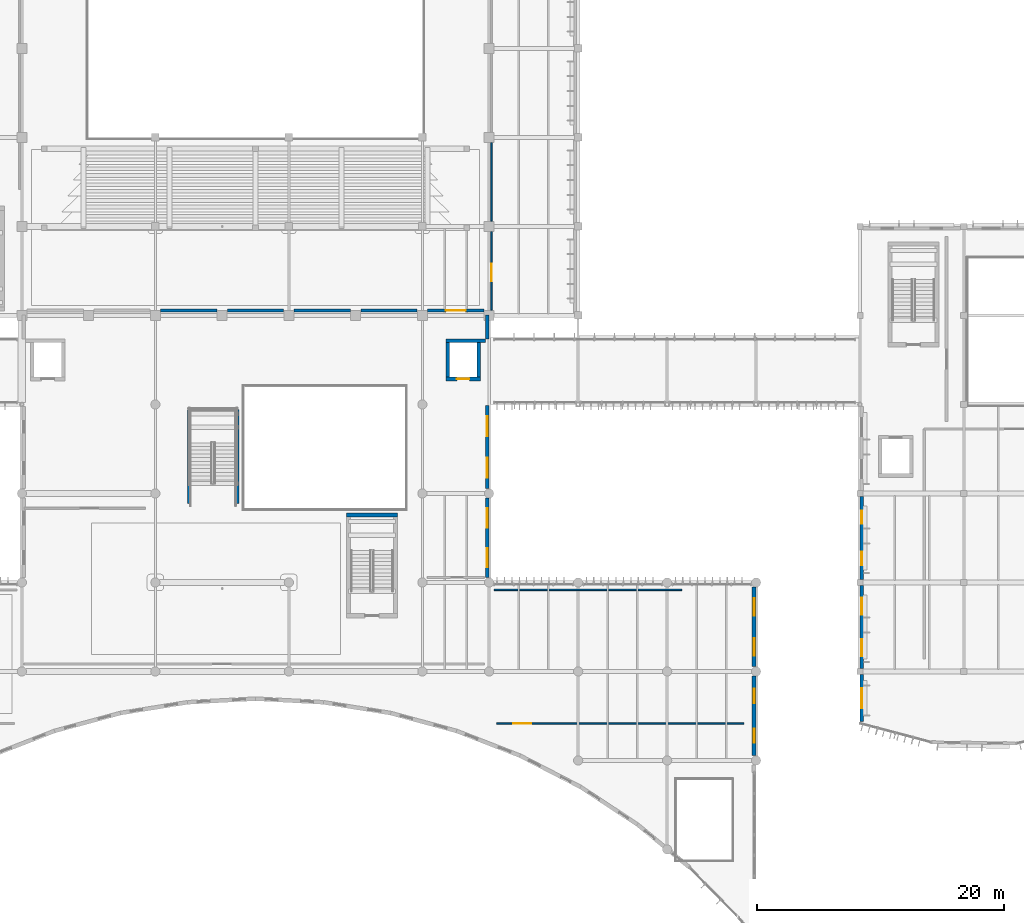
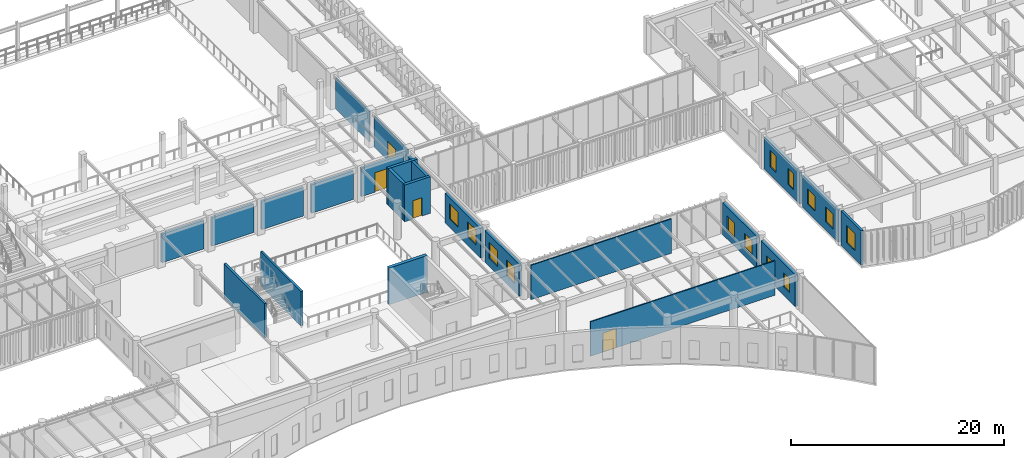
# One storey, part 41 of 122: 24 walls, 13 windows, 4 doors, 17 openings.
"""IFC4 building model written with IfcOpenShell, lengths in metres."""

from ifc_helpers import new_model, si_unit, direction, frame, frame_2d, origin, place, context, subcontext, project, spatial, rectangle, extrude, material, layer, layer_set, type_object, element, fill, save


model = new_model("IFC4")

# Units and contexts
model_context = context("Model", 3, precision=1e-05, world=origin(), true_north=direction((0.0, 1.0)))
body_context = subcontext(model_context, "Body", "Model", "MODEL_VIEW")
ifc_project = project(units=[si_unit("LENGTHUNIT", "METRE"), si_unit("AREAUNIT", "SQUARE_METRE"), si_unit("VOLUMEUNIT", "CUBIC_METRE"), si_unit("PLANEANGLEUNIT", "RADIAN"), si_unit("MASSUNIT", "GRAM", prefix="KILO")], contexts=[model_context])

# Site, building, storey
site_placement = place(None, origin())
site = spatial("IfcSite", under=ifc_project, at=site_placement, CompositionType="ELEMENT")
building_placement = place(site_placement, origin())
building = spatial("IfcBuilding", under=site, at=building_placement, Name="Tazoul Stagehouse", CompositionType="ELEMENT")
storey_placement = place(building_placement, frame((0.0, 0.0, 4.800048828125)))
storey = spatial("IfcBuildingStorey", under=building, at=storey_placement, Name="L01", CompositionType="ELEMENT", Elevation=4.800048828125)

# Wall, opening, door
ifc_material_1 = material(Name="Gypsum Acoustic Partition", Category="gypsum")
ifc_layer_1 = layer(ifc_material_1, 0.25, Name="Gypsum Acoustic Partition")
ifc_layer_set_1 = layer_set([ifc_layer_1], Name="Gypsum Acoustic Partition")
wall_type_1 = type_object("IfcWallType", Name="Acoustic Hall Double-Stud Partition 250", PredefinedType="PARTITIONING", material=ifc_layer_set_1)
wall_1_placement = place(storey_placement, frame((94.97998046875, 52.199951171875, 0.0), z_axis=(0.0, 0.0, 1.0), x_axis=(-1.0, 0.0, 0.0)))
wall_1 = element("IfcWall", 1, at=wall_1_placement, inside=storey, type_object=wall_type_1, Name="L01 Partition PW-250 (PW-RM-L01-035-S-S1)", PredefinedType="PARTITIONING", context=body_context, shape_type="SweptSolid", body=[
    extrude(rectangle(XDim=4.56005859375, YDim=0.25, at=frame_2d((2.280029296875, 0.0))), origin(), (0.0, 0.0, 1.0), 3.260009765625),
])
opening_1_placement = place(wall_1_placement, frame((1.47998046875, 0.0, 0.0)))
opening_1 = element("IfcOpeningElement", 2, at=opening_1_placement, cuts=wall_1, Name="Opening ID-15", PredefinedType="OPENING", context=body_context, shape_type="SweptSolid", body=[
    extrude(rectangle(XDim=1.60009765625, YDim=2.25, at=frame_2d((0.800048828125, 1.125))), frame((0.0, 0.14501953125, 0.0), z_axis=(0.0, -1.0, 0.0), x_axis=(1.0, 0.0, 0.0)), (0.0, 0.0, 1.0), 0.2900390625),
])
ifc_material_2 = material(Name="Acoustic Cedar Timber", Category="wood")
door_type_1 = type_object("IfcDoorType", Name="Dress Circle Acoustic Double Door 1600x2250", OperationType="DOUBLE_DOOR_SINGLE_SWING", PredefinedType="DOOR", material=ifc_material_2)
door_1_placement = place(opening_1_placement, origin())
door_1 = element("IfcDoor", 3, at=door_1_placement, inside=storey, type_object=door_type_1, Name="L01 Dress Circle Tier and Side Boxes Door", OperationType="DOUBLE_DOOR_SINGLE_SWING", OverallHeight=2.25, OverallWidth=1.60009765625, PredefinedType="DOOR", context=body_context, shape_type="SweptSolid", body=[
    extrude(rectangle(XDim=1.60009765625, YDim=2.25, at=frame_2d((0.800048828125, 1.125))), frame((0.0, 0.02490234375, 0.0), z_axis=(0.0, -1.0, 0.0), x_axis=(1.0, 0.0, 0.0)), (0.0, 0.0, 1.0), 0.050048828125),
])
fill(opening_1, door_1)

# Walls
wall_2_placement = place(storey_placement, frame((89.580078125, 52.199951171875, 0.0), z_axis=(0.0, 0.0, 1.0), x_axis=(-1.0, 0.0, 0.0)))
element("IfcWall", 4, at=wall_2_placement, inside=storey, type_object=wall_type_1, Name="L01 Partition PW-250 (PW-RM-L01-035-S-S2)", PredefinedType="PARTITIONING", context=body_context, shape_type="SweptSolid", body=[
    extrude(rectangle(XDim=4.56005859375, YDim=0.25, at=frame_2d((2.280029296875, 0.0))), origin(), (0.0, 0.0, 1.0), 3.260009765625),
])
wall_3_placement = place(storey_placement, frame((84.179931640625, 52.199951171875, 0.0), z_axis=(0.0, 0.0, 1.0), x_axis=(-1.0, 0.0, 0.0)))
element("IfcWall", 5, at=wall_3_placement, inside=storey, type_object=wall_type_1, Name="L01 Partition PW-250 (PW-RM-L01-035-S-S3)", PredefinedType="PARTITIONING", context=body_context, shape_type="SweptSolid", body=[
    extrude(rectangle(XDim=4.559814453125, YDim=0.25, at=frame_2d((2.27978515625, 0.0))), origin(), (0.0, 0.0, 1.0), 3.260009765625),
])
wall_4_placement = place(storey_placement, frame((78.780029296875, 52.199951171875, 0.0), z_axis=(0.0, 0.0, 1.0), x_axis=(-1.0, 0.0, 0.0)))
element("IfcWall", 6, at=wall_4_placement, inside=storey, type_object=wall_type_1, Name="L01 Partition PW-250 (PW-RM-L01-035-S-S4)", PredefinedType="PARTITIONING", context=body_context, shape_type="SweptSolid", body=[
    extrude(rectangle(XDim=4.56005859375, YDim=0.25, at=frame_2d((2.280029296875, 0.0))), origin(), (0.0, 0.0, 1.0), 3.260009765625),
])
wall_5_placement = place(storey_placement, frame((73.3798828125, 52.199951171875, 0.0), z_axis=(0.0, 0.0, 1.0), x_axis=(-1.0, 0.0, 0.0)))
element("IfcWall", 7, at=wall_5_placement, inside=storey, type_object=wall_type_1, Name="L01 Partition PW-250 (PW-RM-L01-035-S-S5)", PredefinedType="PARTITIONING", context=body_context, shape_type="SweptSolid", body=[
    extrude(rectangle(XDim=4.559814453125, YDim=0.25, at=frame_2d((2.27978515625, 0.0))), origin(), (0.0, 0.0, 1.0), 3.260009765625),
])

# Wall, openings, windows
ifc_material_3 = material(Name="Ochre Fired Clay Facing Brick Masonry", Category="masonry")
ifc_layer_2 = layer(ifc_material_3, 0.320068359375, Name="Ochre Fired Clay Facing Brick Masonry")
ifc_layer_set_2 = layer_set([ifc_layer_2], Name="Ochre Fired Clay Facing Brick Masonry")
wall_type_2 = type_object("IfcWallType", Name="Concave Crescent Ochre Brick Facade Wall 320", PredefinedType="SOLIDWALL", material=ifc_layer_set_2)
wall_6_placement = place(storey_placement, frame((116.840087890625, 16.179931640625, 0.0), z_axis=(0.0, 0.0, 1.0), x_axis=(0.0, 1.0, 0.0)))
wall_6 = element("IfcWall", 8, at=wall_6_placement, inside=storey, type_object=wall_type_2, Name="L01 Wall EW-320 (WALL-V5-E-L01-S2)", PredefinedType="SOLIDWALL", context=body_context, shape_type="SweptSolid", body=[
    extrude(rectangle(XDim=6.440185546875, YDim=0.320068359375, at=frame_2d((3.22021484375, 0.0))), origin(), (0.0, 0.0, 1.0), 3.65283203125),
])
opening_2_placement = place(wall_6_placement, frame((1.0400390625, 0.0, 0.949951171875)))
opening_2 = element("IfcOpeningElement", 9, at=opening_2_placement, cuts=wall_6, Name="Opening WN-41", PredefinedType="OPENING", context=body_context, shape_type="SweptSolid", body=[
    extrude(rectangle(XDim=1.139892578125, YDim=1.60009765625, at=frame_2d((0.56982421875, 0.800048828125))), frame((0.0, 0.179931640625, 0.0), z_axis=(0.0, -1.0, 0.0), x_axis=(1.0, 0.0, 0.0)), (0.0, 0.0, 1.0), 0.360107421875),
])
opening_3_placement = place(wall_6_placement, frame((4.260009765625, 0.0, 0.949951171875)))
opening_3 = element("IfcOpeningElement", 10, at=opening_3_placement, cuts=wall_6, Name="Opening WN-41", PredefinedType="OPENING", context=body_context, shape_type="SweptSolid", body=[
    extrude(rectangle(XDim=1.139892578125, YDim=1.60009765625, at=frame_2d((0.56982421875, 0.800048828125))), frame((0.0, 0.179931640625, 0.0), z_axis=(0.0, -1.0, 0.0), x_axis=(1.0, 0.0, 0.0)), (0.0, 0.0, 1.0), 0.360107421875),
])
ifc_material_4 = material(Name="Double Low-E Acoustic Laminated Glass", Category="glass")
window_type_1 = type_object("IfcWindowType", Name="Architectural Acoustic Facade Window 1140x1600", PartitioningType="SINGLE_PANEL", PredefinedType="WINDOW", material=ifc_material_4)
window_1_placement = place(opening_2_placement, origin())
window_1 = element("IfcWindow", 11, at=window_1_placement, inside=storey, type_object=window_type_1, Name="L01 Window WN-41 (WALL-V5-E-L01-S2-W1)", OverallHeight=1.60009765625, OverallWidth=1.139892578125, PartitioningType="SINGLE_PANEL", PredefinedType="WINDOW", context=body_context, shape_type="SweptSolid", body=[
    extrude(rectangle(XDim=1.139892578125, YDim=1.60009765625, at=frame_2d((0.56982421875, 0.800048828125))), frame((0.0, 0.030029296875, 0.0), z_axis=(0.0, -1.0, 0.0), x_axis=(1.0, 0.0, 0.0)), (0.0, 0.0, 1.0), 0.06005859375),
])
fill(opening_2, window_1)
window_2_placement = place(opening_3_placement, origin())
window_2 = element("IfcWindow", 12, at=window_2_placement, inside=storey, type_object=window_type_1, Name="L01 Window WN-41 (WALL-V5-E-L01-S2-W2)", OverallHeight=1.60009765625, OverallWidth=1.139892578125, PartitioningType="SINGLE_PANEL", PredefinedType="WINDOW", context=body_context, shape_type="SweptSolid", body=[
    extrude(rectangle(XDim=1.139892578125, YDim=1.60009765625, at=frame_2d((0.56982421875, 0.800048828125))), frame((0.0, 0.030029296875, 0.0), z_axis=(0.0, -1.0, 0.0), x_axis=(1.0, 0.0, 0.0)), (0.0, 0.0, 1.0), 0.06005859375),
])
fill(opening_3, window_2)

wall_7_placement = place(storey_placement, frame((116.840087890625, 23.3798828125, 0.0), z_axis=(0.0, 0.0, 1.0), x_axis=(0.0, 1.0, 0.0)))
wall_7 = element("IfcWall", 13, at=wall_7_placement, inside=storey, type_object=wall_type_2, Name="L01 Wall EW-320 (WALL-V5-E-L01-S3)", PredefinedType="SOLIDWALL", context=body_context, shape_type="SweptSolid", body=[
    extrude(rectangle(XDim=6.440185546875, YDim=0.320068359375, at=frame_2d((3.22021484375, 0.0))), origin(), (0.0, 0.0, 1.0), 3.65283203125),
])
opening_4_placement = place(wall_7_placement, frame((0.905029296875, 0.0, 0.949951171875)))
opening_4 = element("IfcOpeningElement", 14, at=opening_4_placement, cuts=wall_7, Name="Opening WN-50", PredefinedType="OPENING", context=body_context, shape_type="SweptSolid", body=[
    extrude(rectangle(XDim=1.409912109375, YDim=1.699951171875, at=frame_2d((0.705078125, 0.85009765625))), frame((0.0, 0.179931640625, 0.0), z_axis=(0.0, -1.0, 0.0), x_axis=(1.0, 0.0, 0.0)), (0.0, 0.0, 1.0), 0.360107421875),
])
opening_5_placement = place(wall_7_placement, frame((4.125, 0.0, 0.949951171875)))
opening_5 = element("IfcOpeningElement", 15, at=opening_5_placement, cuts=wall_7, Name="Opening WN-50", PredefinedType="OPENING", context=body_context, shape_type="SweptSolid", body=[
    extrude(rectangle(XDim=1.409912109375, YDim=1.699951171875, at=frame_2d((0.705078125, 0.85009765625))), frame((0.0, 0.179931640625, 0.0), z_axis=(0.0, -1.0, 0.0), x_axis=(1.0, 0.0, 0.0)), (0.0, 0.0, 1.0), 0.360107421875),
])
window_type_2 = type_object("IfcWindowType", Name="Architectural Acoustic Facade Window 1410x1700", PartitioningType="SINGLE_PANEL", PredefinedType="WINDOW", material=ifc_material_4)
window_3_placement = place(opening_4_placement, origin())
window_3 = element("IfcWindow", 16, at=window_3_placement, inside=storey, type_object=window_type_2, Name="L01 Window WN-50 (WALL-V5-E-L01-S3-W1)", OverallHeight=1.699951171875, OverallWidth=1.409912109375, PartitioningType="SINGLE_PANEL", PredefinedType="WINDOW", context=body_context, shape_type="SweptSolid", body=[
    extrude(rectangle(XDim=1.409912109375, YDim=1.699951171875, at=frame_2d((0.705078125, 0.85009765625))), frame((0.0, 0.030029296875, 0.0), z_axis=(0.0, -1.0, 0.0), x_axis=(1.0, 0.0, 0.0)), (0.0, 0.0, 1.0), 0.06005859375),
])
fill(opening_4, window_3)
window_4_placement = place(opening_5_placement, origin())
window_4 = element("IfcWindow", 17, at=window_4_placement, inside=storey, type_object=window_type_2, Name="L01 Window WN-50 (WALL-V5-E-L01-S3-W2)", OverallHeight=1.699951171875, OverallWidth=1.409912109375, PartitioningType="SINGLE_PANEL", PredefinedType="WINDOW", context=body_context, shape_type="SweptSolid", body=[
    extrude(rectangle(XDim=1.409912109375, YDim=1.699951171875, at=frame_2d((0.705078125, 0.85009765625))), frame((0.0, 0.030029296875, 0.0), z_axis=(0.0, -1.0, 0.0), x_axis=(1.0, 0.0, 0.0)), (0.0, 0.0, 1.0), 0.06005859375),
])
fill(opening_5, window_4)

# Wall
ifc_material_5 = material(Name="Concrete C40/50", Category="concrete")
ifc_layer_3 = layer(ifc_material_5, 0.35009765625, Name="Concrete C40/50")
ifc_layer_set_3 = layer_set([ifc_layer_3], Name="Concrete C40/50")
wall_type_3 = type_object("IfcWallType", Name="Core Shear Wall 350", PredefinedType="SOLIDWALL", material=ifc_layer_set_3)
wall_8_placement = place(storey_placement, frame((83.85009765625, 35.655029296875, 0.0), z_axis=(0.0, 0.0, 1.0), x_axis=(1.0, 0.0, 0.0)))
element("IfcWall", 18, at=wall_8_placement, inside=storey, type_object=wall_type_3, Name="L01 Core Wall CW-350 (SHF-ST-08-north)", PredefinedType="SOLIDWALL", context=body_context, shape_type="SweptSolid", body=[
    extrude(rectangle(XDim=4.14990234375, YDim=0.35009765625, at=frame_2d((2.074951171875, 0.0))), origin(), (0.0, 0.0, 1.0), 4.199951171875),
])

# Wall, opening, window
ifc_material_6 = material(Name="Precast concrete C40/50", Category="concrete")
ifc_layer_4 = layer(ifc_material_6, 0.260009765625, Name="Precast concrete C40/50")
ifc_layer_set_4 = layer_set([ifc_layer_4], Name="Precast concrete C40/50")
wall_type_4 = type_object("IfcWallType", Name="Curved Studio Drum Terracotta-Concrete Wall 260", PredefinedType="SOLIDWALL", material=ifc_layer_set_4)
wall_9_placement = place(storey_placement, frame((125.550048828125, 18.949951171875, 0.0), z_axis=(0.0, 0.0, 1.0), x_axis=(0.0, 1.0, 0.0)))
wall_9 = element("IfcWall", 19, at=wall_9_placement, inside=storey, type_object=wall_type_4, Name="L01 Wall EW-260 (WALL-V4-W-L01-S1)", PredefinedType="SOLIDWALL", context=body_context, shape_type="SweptSolid", body=[
    extrude(rectangle(XDim=3.795166015625, YDim=0.260009765625, at=frame_2d((1.8974609375, 0.0))), origin(), (0.0, 0.0, 1.0), 3.93994140625),
])
opening_6_placement = place(wall_9_placement, frame((1.08740234375, 0.0, 0.949951171875)))
opening_6 = element("IfcOpeningElement", 20, at=opening_6_placement, cuts=wall_9, Name="Opening WN-82", PredefinedType="OPENING", context=body_context, shape_type="SweptSolid", body=[
    extrude(rectangle(XDim=1.6201171875, YDim=2.0, at=frame_2d((0.81005859375, 1.0))), frame((0.0, 0.14990234375, 0.0), z_axis=(0.0, -1.0, 0.0), x_axis=(1.0, 0.0, 0.0)), (0.0, 0.0, 1.0), 0.300048828125),
])
window_type_3 = type_object("IfcWindowType", Name="Architectural Acoustic Facade Window 1620x2000", PartitioningType="SINGLE_PANEL", PredefinedType="WINDOW", material=ifc_material_4)
window_5_placement = place(opening_6_placement, origin())
window_5 = element("IfcWindow", 21, at=window_5_placement, inside=storey, type_object=window_type_3, Name="L01 Window WN-82 (WALL-V4-W-L01-S1-W1)", OverallHeight=2.0, OverallWidth=1.6201171875, PartitioningType="SINGLE_PANEL", PredefinedType="WINDOW", context=body_context, shape_type="SweptSolid", body=[
    extrude(rectangle(XDim=1.6201171875, YDim=2.0, at=frame_2d((0.81005859375, 1.0))), frame((0.0, 0.030029296875, 0.0), z_axis=(0.0, -1.0, 0.0), x_axis=(1.0, 0.0, 0.0)), (0.0, 0.0, 1.0), 0.06005859375),
])
fill(opening_6, window_5)

# Wall, openings, windows
wall_10_placement = place(storey_placement, frame((125.550048828125, 23.2548828125, 0.0), z_axis=(0.0, 0.0, 1.0), x_axis=(0.0, 1.0, 0.0)))
wall_10 = element("IfcWall", 22, at=wall_10_placement, inside=storey, type_object=wall_type_4, Name="L01 Wall EW-260 (WALL-V4-W-L01-S2)", PredefinedType="SOLIDWALL", context=body_context, shape_type="SweptSolid", body=[
    extrude(rectangle(XDim=6.690185546875, YDim=0.260009765625, at=frame_2d((3.34521484375, 0.0))), origin(), (0.0, 0.0, 1.0), 3.65283203125),
])
opening_7_placement = place(wall_10_placement, frame((0.982421875, 0.0, 0.949951171875)))
opening_7 = element("IfcOpeningElement", 23, at=opening_7_placement, cuts=wall_10, Name="Opening WN-49", PredefinedType="OPENING", context=body_context, shape_type="SweptSolid", body=[
    extrude(rectangle(XDim=1.3798828125, YDim=1.699951171875, at=frame_2d((0.68994140625, 0.85009765625))), frame((0.0, 0.14990234375, 0.0), z_axis=(0.0, -1.0, 0.0), x_axis=(1.0, 0.0, 0.0)), (0.0, 0.0, 1.0), 0.300048828125),
])
opening_8_placement = place(wall_10_placement, frame((4.327392578125, 0.0, 0.949951171875)))
opening_8 = element("IfcOpeningElement", 24, at=opening_8_placement, cuts=wall_10, Name="Opening WN-49", PredefinedType="OPENING", context=body_context, shape_type="SweptSolid", body=[
    extrude(rectangle(XDim=1.3798828125, YDim=1.699951171875, at=frame_2d((0.68994140625, 0.85009765625))), frame((0.0, 0.14990234375, 0.0), z_axis=(0.0, -1.0, 0.0), x_axis=(1.0, 0.0, 0.0)), (0.0, 0.0, 1.0), 0.300048828125),
])
window_type_4 = type_object("IfcWindowType", Name="Architectural Acoustic Facade Window 1380x1700", PartitioningType="SINGLE_PANEL", PredefinedType="WINDOW", material=ifc_material_4)
window_6_placement = place(opening_7_placement, origin())
window_6 = element("IfcWindow", 25, at=window_6_placement, inside=storey, type_object=window_type_4, Name="L01 Window WN-49 (WALL-V4-W-L01-S2-W1)", OverallHeight=1.699951171875, OverallWidth=1.3798828125, PartitioningType="SINGLE_PANEL", PredefinedType="WINDOW", context=body_context, shape_type="SweptSolid", body=[
    extrude(rectangle(XDim=1.3798828125, YDim=1.699951171875, at=frame_2d((0.68994140625, 0.85009765625))), frame((0.0, 0.030029296875, 0.0), z_axis=(0.0, -1.0, 0.0), x_axis=(1.0, 0.0, 0.0)), (0.0, 0.0, 1.0), 0.06005859375),
])
fill(opening_7, window_6)
window_7_placement = place(opening_8_placement, origin())
window_7 = element("IfcWindow", 26, at=window_7_placement, inside=storey, type_object=window_type_4, Name="L01 Window WN-49 (WALL-V4-W-L01-S2-W2)", OverallHeight=1.699951171875, OverallWidth=1.3798828125, PartitioningType="SINGLE_PANEL", PredefinedType="WINDOW", context=body_context, shape_type="SweptSolid", body=[
    extrude(rectangle(XDim=1.3798828125, YDim=1.699951171875, at=frame_2d((0.68994140625, 0.85009765625))), frame((0.0, 0.030029296875, 0.0), z_axis=(0.0, -1.0, 0.0), x_axis=(1.0, 0.0, 0.0)), (0.0, 0.0, 1.0), 0.06005859375),
])
fill(opening_8, window_7)

wall_11_placement = place(storey_placement, frame((125.550048828125, 30.455078125, 0.0), z_axis=(0.0, 0.0, 1.0), x_axis=(0.0, 1.0, 0.0)))
wall_11 = element("IfcWall", 27, at=wall_11_placement, inside=storey, type_object=wall_type_4, Name="L01 Wall EW-260 (WALL-V4-W-L01-S3)", PredefinedType="SOLIDWALL", context=body_context, shape_type="SweptSolid", body=[
    extrude(rectangle(XDim=6.68994140625, YDim=0.260009765625, at=frame_2d((3.344970703125, 0.0))), origin(), (0.0, 0.0, 1.0), 3.65283203125),
])
opening_9_placement = place(wall_11_placement, frame((1.132568359375, 0.0, 0.949951171875)))
opening_9 = element("IfcOpeningElement", 28, at=opening_9_placement, cuts=wall_11, Name="Opening WN-64", PredefinedType="OPENING", context=body_context, shape_type="SweptSolid", body=[
    extrude(rectangle(XDim=1.080078125, YDim=1.85009765625, at=frame_2d((0.5400390625, 0.925048828125))), frame((0.0, 0.14990234375, 0.0), z_axis=(0.0, -1.0, 0.0), x_axis=(1.0, 0.0, 0.0)), (0.0, 0.0, 1.0), 0.300048828125),
])
opening_10_placement = place(wall_11_placement, frame((4.4775390625, 0.0, 0.949951171875)))
opening_10 = element("IfcOpeningElement", 29, at=opening_10_placement, cuts=wall_11, Name="Opening WN-64", PredefinedType="OPENING", context=body_context, shape_type="SweptSolid", body=[
    extrude(rectangle(XDim=1.080078125, YDim=1.85009765625, at=frame_2d((0.5400390625, 0.925048828125))), frame((0.0, 0.14990234375, 0.0), z_axis=(0.0, -1.0, 0.0), x_axis=(1.0, 0.0, 0.0)), (0.0, 0.0, 1.0), 0.300048828125),
])
window_type_5 = type_object("IfcWindowType", Name="Architectural Acoustic Facade Window 1080x1850", PartitioningType="SINGLE_PANEL", PredefinedType="WINDOW", material=ifc_material_4)
window_8_placement = place(opening_9_placement, origin())
window_8 = element("IfcWindow", 30, at=window_8_placement, inside=storey, type_object=window_type_5, Name="L01 Window WN-64 (WALL-V4-W-L01-S3-W1)", OverallHeight=1.85009765625, OverallWidth=1.080078125, PartitioningType="SINGLE_PANEL", PredefinedType="WINDOW", context=body_context, shape_type="SweptSolid", body=[
    extrude(rectangle(XDim=1.080078125, YDim=1.85009765625, at=frame_2d((0.5400390625, 0.925048828125))), frame((0.0, 0.030029296875, 0.0), z_axis=(0.0, -1.0, 0.0), x_axis=(1.0, 0.0, 0.0)), (0.0, 0.0, 1.0), 0.06005859375),
])
fill(opening_9, window_8)
window_9_placement = place(opening_10_placement, origin())
window_9 = element("IfcWindow", 31, at=window_9_placement, inside=storey, type_object=window_type_5, Name="L01 Window WN-64 (WALL-V4-W-L01-S3-W2)", OverallHeight=1.85009765625, OverallWidth=1.080078125, PartitioningType="SINGLE_PANEL", PredefinedType="WINDOW", context=body_context, shape_type="SweptSolid", body=[
    extrude(rectangle(XDim=1.080078125, YDim=1.85009765625, at=frame_2d((0.5400390625, 0.925048828125))), frame((0.0, 0.030029296875, 0.0), z_axis=(0.0, -1.0, 0.0), x_axis=(1.0, 0.0, 0.0)), (0.0, 0.0, 1.0), 0.06005859375),
])
fill(opening_10, window_9)

ifc_layer_5 = layer(ifc_material_6, 0.280029296875, Name="Precast concrete C40/50")
ifc_layer_set_5 = layer_set([ifc_layer_5], Name="Precast concrete C40/50")
wall_type_5 = type_object("IfcWallType", Name="Insulated Precast Acoustic Cladding Wall 280", PredefinedType="SOLIDWALL", material=ifc_layer_set_5)
wall_12_placement = place(storey_placement, frame((95.239990234375, 30.580078125, 0.0), z_axis=(0.0, 0.0, 1.0), x_axis=(0.0, 1.0, 0.0)))
wall_12 = element("IfcWall", 32, at=wall_12_placement, inside=storey, type_object=wall_type_5, Name="L01 Wall EW-280 (WALL-V5-THRE-L01-S1)", PredefinedType="SOLIDWALL", context=body_context, shape_type="SweptSolid", body=[
    extrude(rectangle(XDim=6.43994140625, YDim=0.280029296875, at=frame_2d((3.219970703125, 0.0))), origin(), (0.0, 0.0, 1.0), 3.65283203125),
])
opening_11_placement = place(wall_12_placement, frame((0.8349609375, 0.0, 0.949951171875)))
opening_11 = element("IfcOpeningElement", 33, at=opening_11_placement, cuts=wall_12, Name="Opening WN-29", PredefinedType="OPENING", context=body_context, shape_type="SweptSolid", body=[
    extrude(rectangle(XDim=1.550048828125, YDim=1.800048828125, at=frame_2d((0.77490234375, 0.89990234375))), frame((0.0, 0.159912109375, 0.0), z_axis=(0.0, -1.0, 0.0), x_axis=(1.0, 0.0, 0.0)), (0.0, 0.0, 1.0), 0.320068359375),
])
opening_12_placement = place(wall_12_placement, frame((4.054931640625, 0.0, 0.949951171875)))
opening_12 = element("IfcOpeningElement", 34, at=opening_12_placement, cuts=wall_12, Name="Opening WN-29", PredefinedType="OPENING", context=body_context, shape_type="SweptSolid", body=[
    extrude(rectangle(XDim=1.550048828125, YDim=1.800048828125, at=frame_2d((0.77490234375, 0.89990234375))), frame((0.0, 0.159912109375, 0.0), z_axis=(0.0, -1.0, 0.0), x_axis=(1.0, 0.0, 0.0)), (0.0, 0.0, 1.0), 0.320068359375),
])
window_type_6 = type_object("IfcWindowType", Name="Black-Box Studio Window 1550x1800", PartitioningType="SINGLE_PANEL", PredefinedType="WINDOW", material=ifc_material_4)
window_10_placement = place(opening_11_placement, origin())
window_10 = element("IfcWindow", 35, at=window_10_placement, inside=storey, type_object=window_type_6, Name="L01 Window WN-29 (WALL-V5-THRE-L01-S1-W1)", OverallHeight=1.800048828125, OverallWidth=1.550048828125, PartitioningType="SINGLE_PANEL", PredefinedType="WINDOW", context=body_context, shape_type="SweptSolid", body=[
    extrude(rectangle(XDim=1.550048828125, YDim=1.800048828125, at=frame_2d((0.77490234375, 0.89990234375))), frame((0.0, 0.030029296875, 0.0), z_axis=(0.0, -1.0, 0.0), x_axis=(1.0, 0.0, 0.0)), (0.0, 0.0, 1.0), 0.06005859375),
])
fill(opening_11, window_10)
window_11_placement = place(opening_12_placement, origin())
window_11 = element("IfcWindow", 36, at=window_11_placement, inside=storey, type_object=window_type_6, Name="L01 Window WN-29 (WALL-V5-THRE-L01-S1-W2)", OverallHeight=1.800048828125, OverallWidth=1.550048828125, PartitioningType="SINGLE_PANEL", PredefinedType="WINDOW", context=body_context, shape_type="SweptSolid", body=[
    extrude(rectangle(XDim=1.550048828125, YDim=1.800048828125, at=frame_2d((0.77490234375, 0.89990234375))), frame((0.0, 0.030029296875, 0.0), z_axis=(0.0, -1.0, 0.0), x_axis=(1.0, 0.0, 0.0)), (0.0, 0.0, 1.0), 0.06005859375),
])
fill(opening_12, window_11)

wall_13_placement = place(storey_placement, frame((95.239990234375, 37.780029296875, 0.0), z_axis=(0.0, 0.0, 1.0), x_axis=(0.0, 1.0, 0.0)))
wall_13 = element("IfcWall", 37, at=wall_13_placement, inside=storey, type_object=wall_type_5, Name="L01 Wall EW-280 (WALL-V5-THRE-L01-S2)", PredefinedType="SOLIDWALL", context=body_context, shape_type="SweptSolid", body=[
    extrude(rectangle(XDim=6.719970703125, YDim=0.280029296875, at=frame_2d((3.35986328125, 0.0))), origin(), (0.0, 0.0, 1.0), 3.373046875),
])
opening_13_placement = place(wall_13_placement, frame((0.8701171875, 0.0, 0.949951171875)))
opening_13 = element("IfcOpeningElement", 38, at=opening_13_placement, cuts=wall_13, Name="Opening WN-57", PredefinedType="OPENING", context=body_context, shape_type="SweptSolid", body=[
    extrude(rectangle(XDim=1.6201171875, YDim=1.75, at=frame_2d((0.81005859375, 0.875))), frame((0.0, 0.159912109375, 0.0), z_axis=(0.0, -1.0, 0.0), x_axis=(1.0, 0.0, 0.0)), (0.0, 0.0, 1.0), 0.320068359375),
])
opening_14_placement = place(wall_13_placement, frame((4.22998046875, 0.0, 0.949951171875)))
opening_14 = element("IfcOpeningElement", 39, at=opening_14_placement, cuts=wall_13, Name="Opening WN-57", PredefinedType="OPENING", context=body_context, shape_type="SweptSolid", body=[
    extrude(rectangle(XDim=1.6201171875, YDim=1.75, at=frame_2d((0.81005859375, 0.875))), frame((0.0, 0.159912109375, 0.0), z_axis=(0.0, -1.0, 0.0), x_axis=(1.0, 0.0, 0.0)), (0.0, 0.0, 1.0), 0.320068359375),
])
window_type_7 = type_object("IfcWindowType", Name="Architectural Acoustic Facade Window 1620x1750", PartitioningType="SINGLE_PANEL", PredefinedType="WINDOW", material=ifc_material_4)
window_12_placement = place(opening_13_placement, origin())
window_12 = element("IfcWindow", 40, at=window_12_placement, inside=storey, type_object=window_type_7, Name="L01 Window WN-57 (WALL-V5-THRE-L01-S2-W1)", OverallHeight=1.75, OverallWidth=1.6201171875, PartitioningType="SINGLE_PANEL", PredefinedType="WINDOW", context=body_context, shape_type="SweptSolid", body=[
    extrude(rectangle(XDim=1.6201171875, YDim=1.75, at=frame_2d((0.81005859375, 0.875))), frame((0.0, 0.030029296875, 0.0), z_axis=(0.0, -1.0, 0.0), x_axis=(1.0, 0.0, 0.0)), (0.0, 0.0, 1.0), 0.06005859375),
])
fill(opening_13, window_12)
window_13_placement = place(opening_14_placement, origin())
window_13 = element("IfcWindow", 41, at=window_13_placement, inside=storey, type_object=window_type_7, Name="L01 Window WN-57 (WALL-V5-THRE-L01-S2-W2)", OverallHeight=1.75, OverallWidth=1.6201171875, PartitioningType="SINGLE_PANEL", PredefinedType="WINDOW", context=body_context, shape_type="SweptSolid", body=[
    extrude(rectangle(XDim=1.6201171875, YDim=1.75, at=frame_2d((0.81005859375, 0.875))), frame((0.0, 0.030029296875, 0.0), z_axis=(0.0, -1.0, 0.0), x_axis=(1.0, 0.0, 0.0)), (0.0, 0.0, 1.0), 0.06005859375),
])
fill(opening_14, window_13)

# Wall
wall_14_placement = place(storey_placement, frame((95.239990234375, 49.89990234375, 0.0), z_axis=(0.0, 0.0, 1.0), x_axis=(0.0, 1.0, 0.0)))
element("IfcWall", 42, at=wall_14_placement, inside=storey, type_object=wall_type_5, Name="L01 Wall EW-280 (WALL-V5-THRE-N-L01)", PredefinedType="SOLIDWALL", context=body_context, shape_type="SweptSolid", body=[
    extrude(rectangle(XDim=1.9501953125, YDim=0.280029296875, at=frame_2d((0.97509765625, 0.0))), origin(), (0.0, 0.0, 1.0), 3.373046875),
])

# Wall, opening, door
ifc_layer_6 = layer(ifc_material_5, 0.300048828125, Name="Concrete C40/50")
ifc_layer_set_6 = layer_set([ifc_layer_6], Name="Concrete C40/50")
wall_type_6 = type_object("IfcWallType", Name="Lift Shaft Wall 300", PredefinedType="SOLIDWALL", material=ifc_layer_set_6)
wall_15_placement = place(storey_placement, frame((94.699951171875, 46.64990234375, 0.0), z_axis=(0.0, 0.0, 1.0), x_axis=(-1.0, 0.0, 0.0)))
wall_15 = element("IfcWall", 43, at=wall_15_placement, inside=storey, type_object=wall_type_6, Name="L01 Core Wall CW-300 (LSHF-PL-02-south)", PredefinedType="SOLIDWALL", context=body_context, shape_type="SweptSolid", body=[
    extrude(rectangle(XDim=2.800048828125, YDim=0.300048828125, at=frame_2d((1.39990234375, 0.0))), origin(), (0.0, 0.0, 1.0), 4.199951171875),
])
opening_15_placement = place(wall_15_placement, frame((0.89990234375, 0.0, 0.0)))
opening_15 = element("IfcOpeningElement", 44, at=opening_15_placement, cuts=wall_15, Name="Opening LD-04", PredefinedType="OPENING", context=body_context, shape_type="SweptSolid", body=[
    extrude(rectangle(XDim=1.0, YDim=2.10009765625, at=frame_2d((0.5, 1.050048828125))), frame((0.0, 0.169921875, 0.0), z_axis=(0.0, -1.0, 0.0), x_axis=(1.0, 0.0, 0.0)), (0.0, 0.0, 1.0), 0.340087890625),
])
ifc_material_7 = material(Name="Powder-Coated Galvanised Acoustic Steel", Category="steel")
door_type_2 = type_object("IfcDoorType", Name="Passenger Lift Sliding Landing Door 1000x2100", OperationType="DOUBLE_DOOR_SLIDING", PredefinedType="DOOR", material=ifc_material_7)
door_2_placement = place(opening_15_placement, origin())
door_2 = element("IfcDoor", 45, at=door_2_placement, inside=storey, type_object=door_type_2, Name="L01 Lift Landing Sliding Door LD-04 (PL-02)", OperationType="DOUBLE_DOOR_SLIDING", OverallHeight=2.10009765625, OverallWidth=1.0, PredefinedType="DOOR", context=body_context, shape_type="SweptSolid", body=[
    extrude(rectangle(XDim=1.0, YDim=2.10009765625, at=frame_2d((0.5, 1.050048828125))), frame((0.0, 0.02490234375, 0.0), z_axis=(0.0, -1.0, 0.0), x_axis=(1.0, 0.0, 0.0)), (0.0, 0.0, 1.0), 0.050048828125),
])
fill(opening_15, door_2)

# Walls
wall_16_placement = place(storey_placement, frame((92.050048828125, 46.800048828125, 0.0), z_axis=(0.0, 0.0, 1.0), x_axis=(0.0, 1.0, 0.0)))
element("IfcWall", 46, at=wall_16_placement, inside=storey, type_object=wall_type_6, Name="L01 Core Wall CW-300 (LSHF-PL-02-west)", PredefinedType="SOLIDWALL", context=body_context, shape_type="SweptSolid", body=[
    extrude(rectangle(XDim=2.800048828125, YDim=0.300048828125, at=frame_2d((1.39990234375, 0.0))), origin(), (0.0, 0.0, 1.0), 4.199951171875),
])
wall_17_placement = place(storey_placement, frame((91.89990234375, 49.75, 0.0), z_axis=(0.0, 0.0, 1.0), x_axis=(1.0, 0.0, 0.0)))
element("IfcWall", 47, at=wall_17_placement, inside=storey, type_object=wall_type_6, Name="L01 Core Wall CW-300 (LSHF-PL-02-north)", PredefinedType="SOLIDWALL", context=body_context, shape_type="SweptSolid", body=[
    extrude(rectangle(XDim=3.190185546875, YDim=0.300048828125, at=frame_2d((1.59521484375, 0.0))), origin(), (0.0, 0.0, 1.0), 4.199951171875),
])
wall_18_placement = place(storey_placement, frame((94.550048828125, 49.60009765625, 0.0), z_axis=(0.0, 0.0, 1.0), x_axis=(0.0, -1.0, 0.0)))
element("IfcWall", 48, at=wall_18_placement, inside=storey, type_object=wall_type_6, Name="L01 Core Wall CW-300 (LSHF-PL-02-east)", PredefinedType="SOLIDWALL", context=body_context, shape_type="SweptSolid", body=[
    extrude(rectangle(XDim=2.800048828125, YDim=0.300048828125, at=frame_2d((1.39990234375, 0.0))), origin(), (0.0, 0.0, 1.0), 4.199951171875),
])
ifc_layer_7 = layer(ifc_material_1, 0.1298828125, Name="Gypsum Acoustic Partition")
ifc_layer_set_7 = layer_set([ifc_layer_7], Name="Gypsum Acoustic Partition")
wall_type_7 = type_object("IfcWallType", Name="Office Drywall Partition 130", PredefinedType="PARTITIONING", material=ifc_layer_set_7)
wall_19_placement = place(storey_placement, frame((95.800048828125, 29.60009765625, 0.0), z_axis=(0.0, 0.0, 1.0), x_axis=(1.0, 0.0, 0.0)))
element("IfcWall", 49, at=wall_19_placement, inside=storey, type_object=wall_type_7, Name="L01 Partition PW-130 (PW-RM-L01-038-N)", PredefinedType="PARTITIONING", context=body_context, shape_type="SweptSolid", body=[
    extrude(rectangle(XDim=15.199951171875, YDim=0.1298828125, at=frame_2d((7.60009765625, 0.0))), origin(), (0.0, 0.0, 1.0), 3.93994140625),
])

# Wall, opening, door
wall_20_placement = place(storey_placement, frame((95.60009765625, 52.219970703125, 0.0), z_axis=(0.0, 0.0, 1.0), x_axis=(0.0, 1.0, 0.0)))
wall_20 = element("IfcWall", 50, at=wall_20_placement, inside=storey, type_object=wall_type_7, Name="L01 Partition PW-130 (PW-RM-L01-112-W-S1)", PredefinedType="PARTITIONING", context=body_context, shape_type="SweptSolid", body=[
    extrude(rectangle(XDim=6.360107421875, YDim=0.1298828125, at=frame_2d((3.18017578125, 0.0))), origin(), (0.0, 0.0, 1.0), 3.550048828125),
])
opening_16_placement = place(wall_20_placement, frame((2.331298828125, 0.0, 0.0)))
opening_16 = element("IfcOpeningElement", 51, at=opening_16_placement, cuts=wall_20, Name="Opening ID-21", PredefinedType="OPENING", context=body_context, shape_type="SweptSolid", body=[
    extrude(rectangle(XDim=1.449951171875, YDim=2.199951171875, at=frame_2d((0.72509765625, 1.10009765625))), frame((0.0, 0.0849609375, 0.0), z_axis=(0.0, -1.0, 0.0), x_axis=(1.0, 0.0, 0.0)), (0.0, 0.0, 1.0), 0.169921875),
])
door_type_3 = type_object("IfcDoorType", Name="Press Conference Double Door 1450x2200", OperationType="DOUBLE_DOOR_SINGLE_SWING", PredefinedType="DOOR", material=ifc_material_2)
door_3_placement = place(opening_16_placement, origin())
door_3 = element("IfcDoor", 52, at=door_3_placement, inside=storey, type_object=door_type_3, Name="L01 East Dress Circle Acoustic Side Salon Door", OperationType="DOUBLE_DOOR_SINGLE_SWING", OverallHeight=2.199951171875, OverallWidth=1.449951171875, PredefinedType="DOOR", context=body_context, shape_type="SweptSolid", body=[
    extrude(rectangle(XDim=1.449951171875, YDim=2.199951171875, at=frame_2d((0.72509765625, 1.10009765625))), frame((0.0, 0.02490234375, 0.0), z_axis=(0.0, -1.0, 0.0), x_axis=(1.0, 0.0, 0.0)), (0.0, 0.0, 1.0), 0.050048828125),
])
fill(opening_16, door_3)

# Wall
wall_21_placement = place(storey_placement, frame((95.60009765625, 59.419921875, 0.0), z_axis=(0.0, 0.0, 1.0), x_axis=(0.0, 1.0, 0.0)))
element("IfcWall", 53, at=wall_21_placement, inside=storey, type_object=wall_type_7, Name="L01 Partition PW-130 (PW-RM-L01-112-W-S2)", PredefinedType="PARTITIONING", context=body_context, shape_type="SweptSolid", body=[
    extrude(rectangle(XDim=6.360107421875, YDim=0.1298828125, at=frame_2d((3.18017578125, 0.0))), origin(), (0.0, 0.0, 1.0), 3.550048828125),
])

# Wall, opening, door
wall_22_placement = place(storey_placement, frame((96.0, 18.800048828125, 0.0), z_axis=(0.0, 0.0, 1.0), x_axis=(1.0, 0.0, 0.0)))
wall_22 = element("IfcWall", 54, at=wall_22_placement, inside=storey, type_object=wall_type_7, Name="L01 Partition PW-130 (PW-RM-L01-116-N)", PredefinedType="PARTITIONING", context=body_context, shape_type="SweptSolid", body=[
    extrude(rectangle(XDim=20.0, YDim=0.1298828125, at=frame_2d((10.0, 0.0))), origin(), (0.0, 0.0, 1.0), 3.93994140625),
])
opening_17_placement = place(wall_22_placement, frame((1.341796875, 0.0, 0.0)))
opening_17 = element("IfcOpeningElement", 55, at=opening_17_placement, cuts=wall_22, Name="Opening ID-21", PredefinedType="OPENING", context=body_context, shape_type="SweptSolid", body=[
    extrude(rectangle(XDim=1.449951171875, YDim=2.199951171875, at=frame_2d((0.72509765625, 1.10009765625))), frame((0.0, 0.0849609375, 0.0), z_axis=(0.0, -1.0, 0.0), x_axis=(1.0, 0.0, 0.0)), (0.0, 0.0, 1.0), 0.169921875),
])
door_4_placement = place(opening_17_placement, origin())
door_4 = element("IfcDoor", 56, at=door_4_placement, inside=storey, type_object=door_type_3, Name="L01 Crescent East Patron Interval Salon Door", OperationType="DOUBLE_DOOR_SINGLE_SWING", OverallHeight=2.199951171875, OverallWidth=1.449951171875, PredefinedType="DOOR", context=body_context, shape_type="SweptSolid", body=[
    extrude(rectangle(XDim=1.449951171875, YDim=2.199951171875, at=frame_2d((0.72509765625, 1.10009765625))), frame((0.0, 0.02490234375, 0.0), z_axis=(0.0, -1.0, 0.0), x_axis=(1.0, 0.0, 0.0)), (0.0, 0.0, 1.0), 0.050048828125),
])
fill(opening_17, door_4)

# Walls
ifc_layer_8 = layer(ifc_material_5, 0.219970703125, Name="Concrete C40/50")
ifc_layer_set_8 = layer_set([ifc_layer_8], Name="Concrete C40/50")
wall_type_8 = type_object("IfcWallType", Name="Protected Exit Passage Wall 220", PredefinedType="SOLIDWALL", material=ifc_layer_set_8)
for number, where, z_axis, x_axis, name in (
    (57, (71.090087890625, 36.60009765625, 0.0), (0.0, 0.0, 1.0), (0.0, 1.0, 0.0), "L01 Civic Stair Cheek Wall CW-220 (ST-ATR-01-W)"),
    (58, (75.06005859375, 36.60009765625, 0.0), (0.0, 0.0, 1.0), (0.0, 1.0, 0.0), "L01 Civic Stair Cheek Wall CW-220 (ST-ATR-01-E)"),
):
    element("IfcWall", number, at=place(storey_placement, frame(where, z_axis=z_axis, x_axis=x_axis)), inside=storey, type_object=wall_type_8, Name=name, PredefinedType="SOLIDWALL", context=body_context, shape_type="SweptSolid", body=[
        extrude(rectangle(XDim=7.599853515625, YDim=0.219970703125, at=frame_2d((3.7998046875, 0.0))), origin(), (0.0, 0.0, 1.0), 3.949951171875),
    ])

save(model, "model.ifc")
